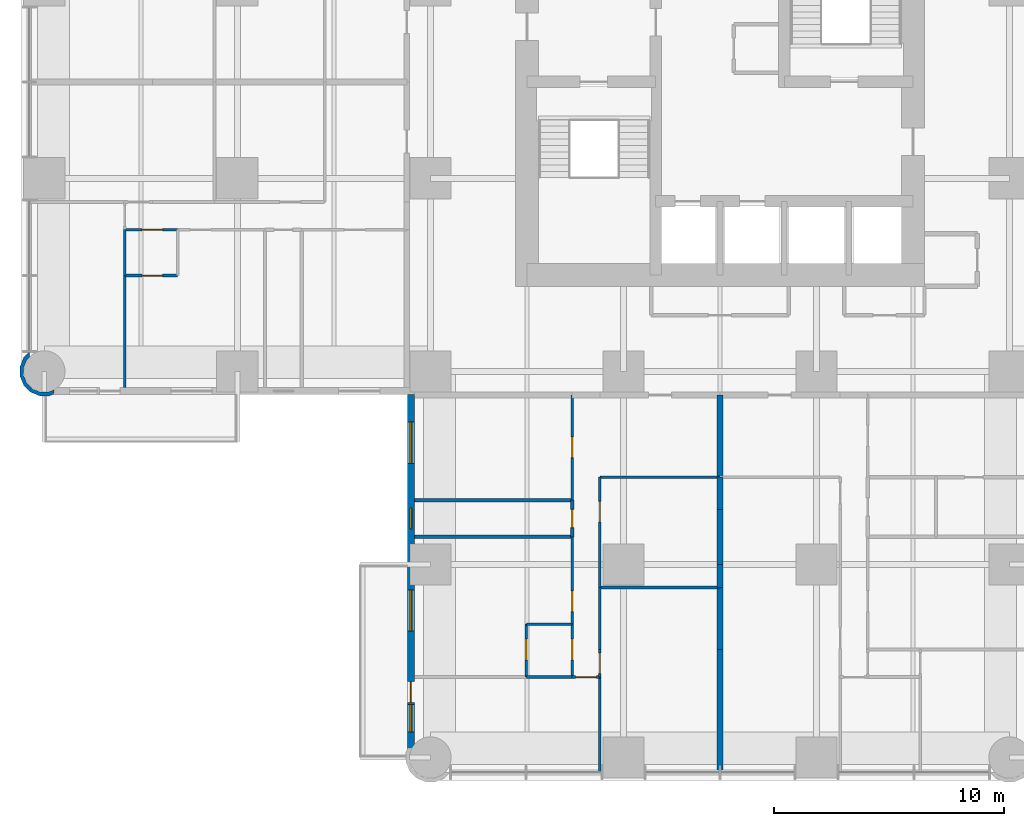
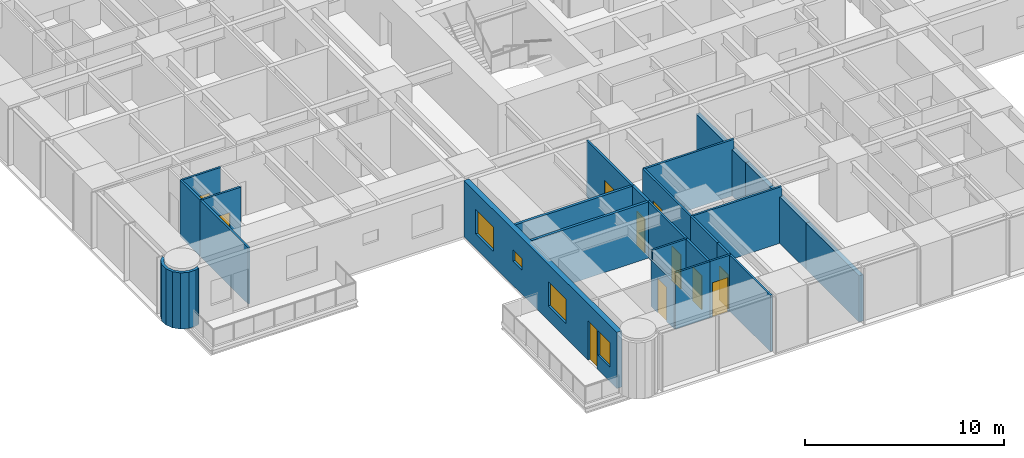
# One storey, part 7 of 17: 28 walls, 11 doors, 4 windows, 15 openings.
"""IFC4 building model written with IfcOpenShell, lengths in metres."""

from ifc_helpers import new_model, si_unit, direction, frame, frame_2d, origin, place, context, subcontext, project, spatial, polyline, rectangle, outline, extrude, material, layer, layer_set, type_object, element, fill, save


model = new_model("IFC4")

# Units and contexts
model_context = context("Model", 3, precision=1e-05, world=origin(), true_north=direction((0.0, 1.0)))
body_context = subcontext(model_context, "Body", "Model", "MODEL_VIEW")
ifc_project = project(units=[si_unit("LENGTHUNIT", "METRE"), si_unit("AREAUNIT", "SQUARE_METRE"), si_unit("VOLUMEUNIT", "CUBIC_METRE"), si_unit("PLANEANGLEUNIT", "RADIAN"), si_unit("MASSUNIT", "GRAM", prefix="KILO")], contexts=[model_context])

# Site, building, storey
site_placement = place(None, origin())
site = spatial("IfcSite", under=ifc_project, at=site_placement, CompositionType="ELEMENT")
building_placement = place(site_placement, origin())
building = spatial("IfcBuilding", under=site, at=building_placement, Name="Torre Alcanfor", CompositionType="ELEMENT")
storey_placement = place(building_placement, frame((0.0, 0.0, 92.10009765625)))
storey = spatial("IfcBuildingStorey", under=building, at=storey_placement, Name="L23", CompositionType="ELEMENT", Elevation=92.10009765625)

# Walls
ifc_material_1 = material(Name="Gypsum board on steel studs", Category="steel")
ifc_layer_1 = layer(ifc_material_1, 0.1201171875)
ifc_layer_set_1 = layer_set([ifc_layer_1], Name="Apartment partition 120")
wall_type_1 = type_object("IfcWallType", Name="Apartment partition 120", PredefinedType="PARTITIONING", material=ifc_layer_set_1)
for number, where, z_axis, x_axis, name in (
    (1, (29.39990234375, 12.199951171875, 0.0), (0.0, 0.0, 1.0), (-1.0, 0.0, 0.0), "Partition L23-S2-ZAG / L23-S2-FAMILY"),
    (2, (29.39990234375, 7.39990234375, 0.0), (0.0, 0.0, 1.0), (-1.0, 0.0, 0.0), "Partition L23-S2-FAMILY / L23-S2-KITCHEN"),
):
    element("IfcWall", number, at=place(storey_placement, frame(where, z_axis=z_axis, x_axis=x_axis)), inside=storey, type_object=wall_type_1, Name=name, PredefinedType="PARTITIONING", context=body_context, shape_type="SweptSolid", body=[
        extrude(rectangle(XDim=5.22900390625, YDim=0.1201171875, at=frame_2d((2.614501953125, 0.0))), origin(), (0.0, 0.0, 1.0), 3.449951171875),
    ])

# Wall, opening, door
wall_1_placement = place(storey_placement, frame((24.1708984375, 7.39990234375, 0.0), z_axis=(0.0, 0.0, 1.0), x_axis=(0.0, 1.0, 0.0)))
wall_1 = element("IfcWall", 3, at=wall_1_placement, inside=storey, type_object=wall_type_1, Name="Partition L23-S2-FAMILY / L23-S2-HALL", PredefinedType="PARTITIONING", context=body_context, shape_type="SweptSolid", body=[
    extrude(rectangle(XDim=4.800048828125, YDim=0.1201171875, at=frame_2d((2.39990234375, 0.0))), origin(), (0.0, 0.0, 1.0), 3.449951171875),
])
opening_1_placement = place(wall_1_placement, frame((2.85009765625, 0.0, 0.0)))
opening_1 = element("IfcOpeningElement", 4, at=opening_1_placement, cuts=wall_1, Name="Opening D-R1", PredefinedType="OPENING", context=body_context, shape_type="SweptSolid", body=[
    extrude(rectangle(XDim=0.89990234375, YDim=2.10009765625, at=frame_2d((0.449951171875, 1.050048828125))), frame((0.0, 0.070068359375, 0.0), z_axis=(0.0, -1.0, 0.0), x_axis=(1.0, 0.0, 0.0)), (0.0, 0.0, 1.0), 0.14013671875),
])
ifc_material_2 = material(Name="Timber", Category="wood")
door_type_1 = type_object("IfcDoorType", Name="Internal door 900x2100", OperationType="SINGLE_SWING_LEFT", PredefinedType="DOOR", material=ifc_material_2)
door_1_placement = place(opening_1_placement, frame((0.89990234375, 0.0, 0.0), z_axis=(0.0, 0.0, 1.0), x_axis=(-1.0, 0.0, 0.0)))
door_1 = element("IfcDoor", 5, at=door_1_placement, inside=storey, type_object=door_type_1, Name="Door L23-S2 family", OperationType="SINGLE_SWING_LEFT", OverallHeight=2.10009765625, OverallWidth=0.89990234375, PredefinedType="DOOR", context=body_context, shape_type="SweptSolid", body=[
    extrude(rectangle(XDim=0.89990234375, YDim=2.10009765625, at=frame_2d((0.449951171875, 1.050048828125))), frame((0.0, 0.025146484375, 0.0), z_axis=(0.0, -1.0, 0.0), x_axis=(1.0, 0.0, 0.0)), (0.0, 0.0, 1.0), 0.050048828125),
])
fill(opening_1, door_1)

# Wall
wall_2_placement = place(storey_placement, frame((24.1708984375, 4.699951171875, 0.0), z_axis=(0.0, 0.0, 1.0), x_axis=(0.0, 1.0, 0.0)))
element("IfcWall", 6, at=wall_2_placement, inside=storey, type_object=wall_type_1, Name="Partition L23-S2-KITCHEN / L23-S2-HALL", PredefinedType="PARTITIONING", context=body_context, shape_type="SweptSolid", body=[
    extrude(rectangle(XDim=2.699951171875, YDim=0.1201171875, at=frame_2d((1.35009765625, 0.0))), origin(), (0.0, 0.0, 1.0), 3.449951171875),
])

# Wall, opening, door
wall_3_placement = place(storey_placement, frame((24.1708984375, 3.5, 0.0), z_axis=(0.0, 0.0, 1.0), x_axis=(0.0, 1.0, 0.0)))
wall_3 = element("IfcWall", 7, at=wall_3_placement, inside=storey, type_object=wall_type_1, Name="Partition L23-S2-LIVING / L23-S2-HALL", PredefinedType="PARTITIONING", context=body_context, shape_type="SweptSolid", body=[
    extrude(rectangle(XDim=1.199951171875, YDim=0.1201171875, at=frame_2d((0.60009765625, 0.0))), origin(), (0.0, 0.0, 1.0), 3.449951171875),
])
opening_2_placement = place(wall_3_placement, frame((0.14990234375, 0.0, 0.0)))
opening_2 = element("IfcOpeningElement", 8, at=opening_2_placement, cuts=wall_3, Name="Opening D-R1", PredefinedType="OPENING", context=body_context, shape_type="SweptSolid", body=[
    extrude(rectangle(XDim=0.89990234375, YDim=2.10009765625, at=frame_2d((0.449951171875, 1.050048828125))), frame((0.0, 0.070068359375, 0.0), z_axis=(0.0, -1.0, 0.0), x_axis=(1.0, 0.0, 0.0)), (0.0, 0.0, 1.0), 0.14013671875),
])
door_2_placement = place(opening_2_placement, frame((0.89990234375, 0.0, 0.0), z_axis=(0.0, 0.0, 1.0), x_axis=(-1.0, 0.0, 0.0)))
door_2 = element("IfcDoor", 9, at=door_2_placement, inside=storey, type_object=door_type_1, Name="Door L23-S2 living", OperationType="SINGLE_SWING_LEFT", OverallHeight=2.10009765625, OverallWidth=0.89990234375, PredefinedType="DOOR", context=body_context, shape_type="SweptSolid", body=[
    extrude(rectangle(XDim=0.89990234375, YDim=2.10009765625, at=frame_2d((0.449951171875, 1.050048828125))), frame((0.0, 0.025146484375, 0.0), z_axis=(0.0, -1.0, 0.0), x_axis=(1.0, 0.0, 0.0)), (0.0, 0.0, 1.0), 0.050048828125),
])
fill(opening_2, door_2)

# Wall
wall_4_placement = place(storey_placement, frame((24.1708984375, -0.64990234375, 0.0), z_axis=(0.0, 0.0, 1.0), x_axis=(0.0, 1.0, 0.0)))
element("IfcWall", 10, at=wall_4_placement, inside=storey, type_object=wall_type_1, Name="Partition L23-S2-LIVING / L23-S2-WGARD", PredefinedType="PARTITIONING", context=body_context, shape_type="SweptSolid", body=[
    extrude(rectangle(XDim=4.14990234375, YDim=0.1201171875, at=frame_2d((2.074951171875, 0.0))), origin(), (0.0, 0.0, 1.0), 3.449951171875),
])

# Wall, opening, door
wall_5_placement = place(storey_placement, frame((22.970947265625, 11.199951171875, 0.0), z_axis=(0.0, 0.0, 1.0), x_axis=(0.0, 1.0, 0.0)))
wall_5 = element("IfcWall", 11, at=wall_5_placement, inside=storey, type_object=wall_type_1, Name="Partition L23-S2-HALL / L23-S2-BED2", PredefinedType="PARTITIONING", context=body_context, shape_type="SweptSolid", body=[
    extrude(rectangle(XDim=4.574951171875, YDim=0.1201171875, at=frame_2d((2.28759765625, 0.0))), origin(), (0.0, 0.0, 1.0), 3.449951171875),
])
opening_3_placement = place(wall_5_placement, frame((1.85009765625, 0.0, 0.0)))
opening_3 = element("IfcOpeningElement", 12, at=opening_3_placement, cuts=wall_5, Name="Opening D-R1", PredefinedType="OPENING", context=body_context, shape_type="SweptSolid", body=[
    extrude(rectangle(XDim=0.89990234375, YDim=2.10009765625, at=frame_2d((0.449951171875, 1.050048828125))), frame((0.0, 0.070068359375, 0.0), z_axis=(0.0, -1.0, 0.0), x_axis=(1.0, 0.0, 0.0)), (0.0, 0.0, 1.0), 0.14013671875),
])
door_3_placement = place(opening_3_placement, origin())
door_3 = element("IfcDoor", 13, at=door_3_placement, inside=storey, type_object=door_type_1, Name="Door L23-S2 bed2", OperationType="SINGLE_SWING_RIGHT", OverallHeight=2.10009765625, OverallWidth=0.89990234375, PredefinedType="DOOR", context=body_context, shape_type="SweptSolid", body=[
    extrude(rectangle(XDim=0.89990234375, YDim=2.10009765625, at=frame_2d((0.449951171875, 1.050048828125))), frame((0.0, 0.02490234375, 0.0), z_axis=(0.0, -1.0, 0.0), x_axis=(1.0, 0.0, 0.0)), (0.0, 0.0, 1.0), 0.050048828125),
])
fill(opening_3, door_3)

wall_6_placement = place(storey_placement, frame((22.970947265625, 5.800048828125, 0.0), z_axis=(0.0, 0.0, 1.0), x_axis=(0.0, 1.0, 0.0)))
wall_6 = element("IfcWall", 14, at=wall_6_placement, inside=storey, type_object=wall_type_1, Name="Partition L23-S2-HALL / L23-S2-MASTER", PredefinedType="PARTITIONING", context=body_context, shape_type="SweptSolid", body=[
    extrude(rectangle(XDim=3.800048828125, YDim=0.1201171875, at=frame_2d((1.89990234375, 0.0))), origin(), (0.0, 0.0, 1.0), 3.449951171875),
])
opening_4_placement = place(wall_6_placement, frame((0.550048828125, 0.0, 0.0)))
opening_4 = element("IfcOpeningElement", 15, at=opening_4_placement, cuts=wall_6, Name="Opening D-R1", PredefinedType="OPENING", context=body_context, shape_type="SweptSolid", body=[
    extrude(rectangle(XDim=0.89990234375, YDim=2.10009765625, at=frame_2d((0.449951171875, 1.050048828125))), frame((0.0, 0.070068359375, 0.0), z_axis=(0.0, -1.0, 0.0), x_axis=(1.0, 0.0, 0.0)), (0.0, 0.0, 1.0), 0.14013671875),
])
door_4_placement = place(opening_4_placement, origin())
door_4 = element("IfcDoor", 16, at=door_4_placement, inside=storey, type_object=door_type_1, Name="Door L23-S2 master", OperationType="SINGLE_SWING_LEFT", OverallHeight=2.10009765625, OverallWidth=0.89990234375, PredefinedType="DOOR", context=body_context, shape_type="SweptSolid", body=[
    extrude(rectangle(XDim=0.89990234375, YDim=2.10009765625, at=frame_2d((0.449951171875, 1.050048828125))), frame((0.0, 0.02490234375, 0.0), z_axis=(0.0, -1.0, 0.0), x_axis=(1.0, 0.0, 0.0)), (0.0, 0.0, 1.0), 0.050048828125),
])
fill(opening_4, door_4)

wall_7_placement = place(storey_placement, frame((22.970947265625, 3.5, 0.0), z_axis=(0.0, 0.0, 1.0), x_axis=(0.0, 1.0, 0.0)))
wall_7 = element("IfcWall", 17, at=wall_7_placement, inside=storey, type_object=wall_type_1, Name="Partition L23-S2-HALL / L23-S2-VEST", PredefinedType="PARTITIONING", context=body_context, shape_type="SweptSolid", body=[
    extrude(rectangle(XDim=2.300048828125, YDim=0.1201171875, at=frame_2d((1.14990234375, 0.0))), origin(), (0.0, 0.0, 1.0), 3.449951171875),
])
opening_5_placement = place(wall_7_placement, frame((0.75, 0.0, 0.0)))
opening_5 = element("IfcOpeningElement", 18, at=opening_5_placement, cuts=wall_7, Name="Opening D-R1", PredefinedType="OPENING", context=body_context, shape_type="SweptSolid", body=[
    extrude(rectangle(XDim=0.89990234375, YDim=2.10009765625, at=frame_2d((0.449951171875, 1.050048828125))), frame((0.0, 0.070068359375, 0.0), z_axis=(0.0, -1.0, 0.0), x_axis=(1.0, 0.0, 0.0)), (0.0, 0.0, 1.0), 0.14013671875),
])
door_5_placement = place(opening_5_placement, origin())
door_5 = element("IfcDoor", 19, at=door_5_placement, inside=storey, type_object=door_type_1, Name="Door L23-S2 vest", OperationType="SINGLE_SWING_RIGHT", OverallHeight=2.10009765625, OverallWidth=0.89990234375, PredefinedType="DOOR", context=body_context, shape_type="SweptSolid", body=[
    extrude(rectangle(XDim=0.89990234375, YDim=2.10009765625, at=frame_2d((0.449951171875, 1.050048828125))), frame((0.0, 0.02490234375, 0.0), z_axis=(0.0, -1.0, 0.0), x_axis=(1.0, 0.0, 0.0)), (0.0, 0.0, 1.0), 0.050048828125),
])
fill(opening_5, door_5)

wall_8_placement = place(storey_placement, frame((24.1708984375, 3.5, 0.0), z_axis=(0.0, 0.0, 1.0), x_axis=(-1.0, 0.0, 0.0)))
wall_8 = element("IfcWall", 20, at=wall_8_placement, inside=storey, type_object=wall_type_1, Name="Partition L23-S2-HALL / L23-S2-WGARD", PredefinedType="PARTITIONING", context=body_context, shape_type="SweptSolid", body=[
    extrude(rectangle(XDim=1.199951171875, YDim=0.1201171875, at=frame_2d((0.60009765625, 0.0))), origin(), (0.0, 0.0, 1.0), 3.449951171875),
])
opening_6_placement = place(wall_8_placement, frame((0.15087890625, 0.0, 0.0)))
opening_6 = element("IfcOpeningElement", 21, at=opening_6_placement, cuts=wall_8, Name="Opening D-R1", PredefinedType="OPENING", context=body_context, shape_type="SweptSolid", body=[
    extrude(rectangle(XDim=0.89990234375, YDim=2.10009765625, at=frame_2d((0.449951171875, 1.050048828125))), frame((0.0, 0.070068359375, 0.0), z_axis=(0.0, -1.0, 0.0), x_axis=(1.0, 0.0, 0.0)), (0.0, 0.0, 1.0), 0.14013671875),
])
door_6_placement = place(opening_6_placement, origin())
door_6 = element("IfcDoor", 22, at=door_6_placement, inside=storey, type_object=door_type_1, Name="Door L23-S2 wgard", OperationType="SINGLE_SWING_LEFT", OverallHeight=2.10009765625, OverallWidth=0.89990234375, PredefinedType="DOOR", context=body_context, shape_type="SweptSolid", body=[
    extrude(rectangle(XDim=0.89990234375, YDim=2.10009765625, at=frame_2d((0.449951171875, 1.050048828125))), frame((0.0, 0.02490234375, 0.0), z_axis=(0.0, -1.0, 0.0), x_axis=(1.0, 0.0, 0.0)), (0.0, 0.0, 1.0), 0.050048828125),
])
fill(opening_6, door_6)

# Wall
wall_9_placement = place(storey_placement, frame((22.970947265625, 5.800048828125, 0.0), z_axis=(0.0, 0.0, 1.0), x_axis=(-1.0, 0.0, 0.0)))
element("IfcWall", 23, at=wall_9_placement, inside=storey, type_object=wall_type_1, Name="Partition L23-S2-MASTER / L23-S2-VEST", PredefinedType="PARTITIONING", context=body_context, shape_type="SweptSolid", body=[
    extrude(rectangle(XDim=2.0, YDim=0.1201171875, at=frame_2d((1.0, 0.0))), origin(), (0.0, 0.0, 1.0), 3.449951171875),
])

# Wall, opening, door
wall_10_placement = place(storey_placement, frame((20.970947265625, 5.800048828125, 0.0), z_axis=(0.0, 0.0, 1.0), x_axis=(0.0, -1.0, 0.0)))
wall_10 = element("IfcWall", 24, at=wall_10_placement, inside=storey, type_object=wall_type_1, Name="Partition L23-S2-MASTER / L23-S2-VEST", PredefinedType="PARTITIONING", context=body_context, shape_type="SweptSolid", body=[
    extrude(rectangle(XDim=2.300048828125, YDim=0.1201171875, at=frame_2d((1.14990234375, 0.0))), origin(), (0.0, 0.0, 1.0), 2.847900390625),
])
opening_7_placement = place(wall_10_placement, frame((0.64990234375, 0.0, 0.0)))
opening_7 = element("IfcOpeningElement", 25, at=opening_7_placement, cuts=wall_10, Name="Opening D-R1", PredefinedType="OPENING", context=body_context, shape_type="SweptSolid", body=[
    extrude(rectangle(XDim=0.89990234375, YDim=2.10009765625, at=frame_2d((0.449951171875, 1.050048828125))), frame((0.0, 0.070068359375, 0.0), z_axis=(0.0, -1.0, 0.0), x_axis=(1.0, 0.0, 0.0)), (0.0, 0.0, 1.0), 0.14013671875),
])
door_7_placement = place(opening_7_placement, origin())
door_7 = element("IfcDoor", 26, at=door_7_placement, inside=storey, type_object=door_type_1, Name="Door L23-S2 master", OperationType="SINGLE_SWING_LEFT", OverallHeight=2.10009765625, OverallWidth=0.89990234375, PredefinedType="DOOR", context=body_context, shape_type="SweptSolid", body=[
    extrude(rectangle(XDim=0.89990234375, YDim=2.10009765625, at=frame_2d((0.449951171875, 1.050048828125))), frame((0.0, 0.02490234375, 0.0), z_axis=(0.0, -1.0, 0.0), x_axis=(1.0, 0.0, 0.0)), (0.0, 0.0, 1.0), 0.050048828125),
])
fill(opening_7, door_7)

# Wall
wall_11_placement = place(storey_placement, frame((22.970947265625, 3.5, 0.0), z_axis=(0.0, 0.0, 1.0), x_axis=(-1.0, 0.0, 0.0)))
element("IfcWall", 27, at=wall_11_placement, inside=storey, type_object=wall_type_1, Name="Partition L23-S2-VEST / L23-S2-WGARD", PredefinedType="PARTITIONING", context=body_context, shape_type="SweptSolid", body=[
    extrude(rectangle(XDim=2.0, YDim=0.1201171875, at=frame_2d((1.0, 0.0))), origin(), (0.0, 0.0, 1.0), 3.449951171875),
])

# Wall, opening, door
wall_12_placement = place(storey_placement, frame((3.5, 22.970947265625, 0.0), z_axis=(0.0, 0.0, 1.0), x_axis=(1.0, 0.0, 0.0)))
wall_12 = element("IfcWall", 28, at=wall_12_placement, inside=storey, type_object=wall_type_1, Name="Partition L23-W1-HALL / L23-W1-VEST", PredefinedType="PARTITIONING", context=body_context, shape_type="SweptSolid", body=[
    extrude(rectangle(XDim=2.300048828125, YDim=0.1201171875, at=frame_2d((1.14990234375, 0.0))), origin(), (0.0, 0.0, 1.0), 3.449951171875),
])
opening_8_placement = place(wall_12_placement, frame((0.75, 0.0, 0.0)))
opening_8 = element("IfcOpeningElement", 29, at=opening_8_placement, cuts=wall_12, Name="Opening D-R1", PredefinedType="OPENING", context=body_context, shape_type="SweptSolid", body=[
    extrude(rectangle(XDim=0.89990234375, YDim=2.10009765625, at=frame_2d((0.449951171875, 1.050048828125))), frame((0.0, 0.070068359375, 0.0), z_axis=(0.0, -1.0, 0.0), x_axis=(1.0, 0.0, 0.0)), (0.0, 0.0, 1.0), 0.14013671875),
])
door_8_placement = place(opening_8_placement, frame((0.89990234375, 0.0, 0.0), z_axis=(0.0, 0.0, 1.0), x_axis=(-1.0, 0.0, 0.0)))
door_8 = element("IfcDoor", 30, at=door_8_placement, inside=storey, type_object=door_type_1, Name="Door L23-W1 vest", OperationType="SINGLE_SWING_LEFT", OverallHeight=2.10009765625, OverallWidth=0.89990234375, PredefinedType="DOOR", context=body_context, shape_type="SweptSolid", body=[
    extrude(rectangle(XDim=0.89990234375, YDim=2.10009765625, at=frame_2d((0.449951171875, 1.050048828125))), frame((0.0, 0.025146484375, 0.0), z_axis=(0.0, -1.0, 0.0), x_axis=(1.0, 0.0, 0.0)), (0.0, 0.0, 1.0), 0.050048828125),
])
fill(opening_8, door_8)

wall_13_placement = place(storey_placement, frame((3.5, 20.970947265625, 0.0), z_axis=(0.0, 0.0, 1.0), x_axis=(1.0, 0.0, 0.0)))
wall_13 = element("IfcWall", 31, at=wall_13_placement, inside=storey, type_object=wall_type_1, Name="Partition L23-W1-MASTER / L23-W1-VEST", PredefinedType="PARTITIONING", context=body_context, shape_type="SweptSolid", body=[
    extrude(rectangle(XDim=2.300048828125, YDim=0.1201171875, at=frame_2d((1.14990234375, 0.0))), origin(), (0.0, 0.0, 1.0), 3.449951171875),
])
opening_9_placement = place(wall_13_placement, frame((0.75, 0.0, 0.0)))
opening_9 = element("IfcOpeningElement", 32, at=opening_9_placement, cuts=wall_13, Name="Opening D-R1", PredefinedType="OPENING", context=body_context, shape_type="SweptSolid", body=[
    extrude(rectangle(XDim=0.89990234375, YDim=2.10009765625, at=frame_2d((0.449951171875, 1.050048828125))), frame((0.0, 0.070068359375, 0.0), z_axis=(0.0, -1.0, 0.0), x_axis=(1.0, 0.0, 0.0)), (0.0, 0.0, 1.0), 0.14013671875),
])
door_9_placement = place(opening_9_placement, origin())
door_9 = element("IfcDoor", 33, at=door_9_placement, inside=storey, type_object=door_type_1, Name="Door L23-W1 master", OperationType="SINGLE_SWING_RIGHT", OverallHeight=2.10009765625, OverallWidth=0.89990234375, PredefinedType="DOOR", context=body_context, shape_type="SweptSolid", body=[
    extrude(rectangle(XDim=0.89990234375, YDim=2.10009765625, at=frame_2d((0.449951171875, 1.050048828125))), frame((0.0, 0.02490234375, 0.0), z_axis=(0.0, -1.0, 0.0), x_axis=(1.0, 0.0, 0.0)), (0.0, 0.0, 1.0), 0.050048828125),
])
fill(opening_9, door_9)

# Walls
wall_14_placement = place(storey_placement, frame((3.5, 16.10009765625, 0.0), z_axis=(0.0, 0.0, 1.0), x_axis=(0.0, 1.0, 0.0)))
element("IfcWall", 34, at=wall_14_placement, inside=storey, type_object=wall_type_1, Name="Partition L23-W1-MASTER / L23-W1-WGARD", PredefinedType="PARTITIONING", context=body_context, shape_type="SweptSolid", body=[
    extrude(rectangle(XDim=4.870849609375, YDim=0.1201171875, at=frame_2d((2.435546875, 0.0))), origin(), (0.0, 0.0, 1.0), 3.449951171875),
])
wall_15_placement = place(storey_placement, frame((3.5, 22.970947265625, 0.0), z_axis=(0.0, 0.0, 1.0), x_axis=(0.0, -1.0, 0.0)))
element("IfcWall", 35, at=wall_15_placement, inside=storey, type_object=wall_type_1, Name="Partition L23-W1-VEST / L23-W1-WGARD", PredefinedType="PARTITIONING", context=body_context, shape_type="SweptSolid", body=[
    extrude(rectangle(XDim=2.0, YDim=0.1201171875, at=frame_2d((1.0, 0.0))), origin(), (0.0, 0.0, 1.0), 3.449951171875),
])

# Wall, openings, door, windows
ifc_material_3 = material(Name="Limestone cladding", Category="masonry")
ifc_layer_2 = layer(ifc_material_3, 0.0400390625, Name="Facing")
ifc_material_4 = material(Name="Ventilated air cavity")
ifc_layer_3 = layer(ifc_material_4, 0.02001953125, ventilated=True, Name="Ventilated joint")
ifc_material_5 = material(Name="Mineral wool insulation", Category="insulation")
ifc_layer_4 = layer(ifc_material_5, 0.10009765625, Name="Insulation")
ifc_material_6 = material(Name="Concrete f'c 35 MPa", Category="concrete")
ifc_layer_5 = layer(ifc_material_6, 0.139892578125, Name="Backing")
ifc_layer_set_2 = layer_set([ifc_layer_2, ifc_layer_3, ifc_layer_4, ifc_layer_5], Name="External wall stone-clad 300")
wall_type_2 = type_object("IfcWallType", Name="External wall stone-clad 300", PredefinedType="SOLIDWALL", material=ifc_layer_set_2)
wall_16_placement = place(storey_placement, frame((15.949951171875, 15.800048828125, 0.0), z_axis=(0.0, 0.0, 1.0), x_axis=(0.0, -1.0, 0.0)))
wall_16 = element("IfcWall", 36, at=wall_16_placement, inside=storey, type_object=wall_type_2, Name="External wall L23 4", PredefinedType="SOLIDWALL", context=body_context, shape_type="SweptSolid", body=[
    extrude(rectangle(XDim=15.400146484375, YDim=0.300048828125, at=frame_2d((7.7001953125, 0.0))), origin(), (0.0, 0.0, 1.0), 3.449951171875),
])
opening_10_placement = place(wall_16_placement, frame((1.199951171875, 0.0, 0.89990234375)))
opening_10 = element("IfcOpeningElement", 37, at=opening_10_placement, cuts=wall_16, Name="Opening W2", PredefinedType="OPENING", context=body_context, shape_type="SweptSolid", body=[
    extrude(rectangle(XDim=1.800048828125, YDim=1.5, at=frame_2d((0.89990234375, 0.75))), frame((0.0, 0.159912109375, 0.0), z_axis=(0.0, -1.0, 0.0), x_axis=(1.0, 0.0, 0.0)), (0.0, 0.0, 1.0), 0.320068359375),
])
opening_11_placement = place(wall_16_placement, frame((4.949951171875, 0.0, 1.5)))
opening_11 = element("IfcOpeningElement", 38, at=opening_11_placement, cuts=wall_16, Name="Opening W3", PredefinedType="OPENING", context=body_context, shape_type="SweptSolid", body=[
    extrude(rectangle(XDim=0.89990234375, YDim=0.699951171875, at=frame_2d((0.449951171875, 0.35009765625))), frame((0.0, 0.159912109375, 0.0), z_axis=(0.0, -1.0, 0.0), x_axis=(1.0, 0.0, 0.0)), (0.0, 0.0, 1.0), 0.320068359375),
])
opening_12_placement = place(wall_16_placement, frame((8.5, 0.0, 0.89990234375)))
opening_12 = element("IfcOpeningElement", 39, at=opening_12_placement, cuts=wall_16, Name="Opening W2", PredefinedType="OPENING", context=body_context, shape_type="SweptSolid", body=[
    extrude(rectangle(XDim=1.800048828125, YDim=1.5, at=frame_2d((0.89990234375, 0.75))), frame((0.0, 0.159912109375, 0.0), z_axis=(0.0, -1.0, 0.0), x_axis=(1.0, 0.0, 0.0)), (0.0, 0.0, 1.0), 0.320068359375),
])
opening_13_placement = place(wall_16_placement, frame((12.5, 0.0, 0.0)))
opening_13 = element("IfcOpeningElement", 40, at=opening_13_placement, cuts=wall_16, Name="Opening D-B1", PredefinedType="OPENING", context=body_context, shape_type="SweptSolid", body=[
    extrude(rectangle(XDim=0.89990234375, YDim=2.39990234375, at=frame_2d((0.449951171875, 1.199951171875))), frame((0.0, 0.159912109375, 0.0), z_axis=(0.0, -1.0, 0.0), x_axis=(1.0, 0.0, 0.0)), (0.0, 0.0, 1.0), 0.320068359375),
])
opening_14_placement = place(wall_16_placement, frame((13.5, 0.0, 0.89990234375)))
opening_14 = element("IfcOpeningElement", 41, at=opening_14_placement, cuts=wall_16, Name="Opening W4", PredefinedType="OPENING", context=body_context, shape_type="SweptSolid", body=[
    extrude(rectangle(XDim=1.199951171875, YDim=1.5, at=frame_2d((0.60009765625, 0.75))), frame((0.0, 0.159912109375, 0.0), z_axis=(0.0, -1.0, 0.0), x_axis=(1.0, 0.0, 0.0)), (0.0, 0.0, 1.0), 0.320068359375),
])
ifc_material_7 = material(Name="Aluminium and glass", Category="aluminium")
door_type_2 = type_object("IfcDoorType", Name="Balcony door glazed 900x2400", OperationType="SINGLE_SWING_LEFT", PredefinedType="DOOR", material=ifc_material_7)
door_10_placement = place(opening_13_placement, origin())
door_10 = element("IfcDoor", 42, at=door_10_placement, inside=storey, type_object=door_type_2, Name="Balcony door L23-S2", OperationType="SINGLE_SWING_LEFT", OverallHeight=2.39990234375, OverallWidth=0.89990234375, PredefinedType="DOOR", context=body_context, shape_type="SweptSolid", body=[
    extrude(rectangle(XDim=0.89990234375, YDim=2.39990234375, at=frame_2d((0.449951171875, 1.199951171875))), frame((0.0, 0.02490234375, 0.0), z_axis=(0.0, -1.0, 0.0), x_axis=(1.0, 0.0, 0.0)), (0.0, 0.0, 1.0), 0.050048828125),
])
fill(opening_13, door_10)
ifc_material_8 = material(Name="Aluminium frame with clear double glazing", Category="aluminium")
window_type_1 = type_object("IfcWindowType", Name="Window bathroom 900x700", PartitioningType="SINGLE_PANEL", PredefinedType="WINDOW", material=ifc_material_8)
window_1_placement = place(opening_11_placement, origin())
window_1 = element("IfcWindow", 43, at=window_1_placement, inside=storey, type_object=window_type_1, Name="Window W3 L23-S2", OverallHeight=0.699951171875, OverallWidth=0.89990234375, PartitioningType="SINGLE_PANEL", PredefinedType="WINDOW", context=body_context, shape_type="SweptSolid", body=[
    extrude(rectangle(XDim=0.89990234375, YDim=0.699951171875, at=frame_2d((0.449951171875, 0.35009765625))), frame((0.0, 0.030029296875, 0.0), z_axis=(0.0, -1.0, 0.0), x_axis=(1.0, 0.0, 0.0)), (0.0, 0.0, 1.0), 0.06005859375),
])
fill(opening_11, window_1)
ifc_material_9 = material(Name="Aluminium frame with clear double glazing", Category="aluminium")
window_type_2 = type_object("IfcWindowType", Name="Window bedroom 1200x1500", PartitioningType="SINGLE_PANEL", PredefinedType="WINDOW", material=ifc_material_9)
window_2_placement = place(opening_14_placement, origin())
window_2 = element("IfcWindow", 44, at=window_2_placement, inside=storey, type_object=window_type_2, Name="Window W4 L23-S2", OverallHeight=1.5, OverallWidth=1.199951171875, PartitioningType="SINGLE_PANEL", PredefinedType="WINDOW", context=body_context, shape_type="SweptSolid", body=[
    extrude(rectangle(XDim=1.199951171875, YDim=1.5, at=frame_2d((0.60009765625, 0.75))), frame((0.0, 0.030029296875, 0.0), z_axis=(0.0, -1.0, 0.0), x_axis=(1.0, 0.0, 0.0)), (0.0, 0.0, 1.0), 0.06005859375),
])
fill(opening_14, window_2)
ifc_material_10 = material(Name="Aluminium frame with clear double glazing", Category="aluminium")
window_type_3 = type_object("IfcWindowType", Name="Window bedroom 1800x1500", PartitioningType="SINGLE_PANEL", PredefinedType="WINDOW", material=ifc_material_10)
window_3_placement = place(opening_10_placement, origin())
window_3 = element("IfcWindow", 45, at=window_3_placement, inside=storey, type_object=window_type_3, Name="Window W2 L23-S2", OverallHeight=1.5, OverallWidth=1.800048828125, PartitioningType="SINGLE_PANEL", PredefinedType="WINDOW", context=body_context, shape_type="SweptSolid", body=[
    extrude(rectangle(XDim=1.800048828125, YDim=1.5, at=frame_2d((0.89990234375, 0.75))), frame((0.0, 0.030029296875, 0.0), z_axis=(0.0, -1.0, 0.0), x_axis=(1.0, 0.0, 0.0)), (0.0, 0.0, 1.0), 0.06005859375),
])
fill(opening_10, window_3)
window_4_placement = place(opening_12_placement, origin())
window_4 = element("IfcWindow", 46, at=window_4_placement, inside=storey, type_object=window_type_3, Name="Window W2 L23-S2", OverallHeight=1.5, OverallWidth=1.800048828125, PartitioningType="SINGLE_PANEL", PredefinedType="WINDOW", context=body_context, shape_type="SweptSolid", body=[
    extrude(rectangle(XDim=1.800048828125, YDim=1.5, at=frame_2d((0.89990234375, 0.75))), frame((0.0, 0.030029296875, 0.0), z_axis=(0.0, -1.0, 0.0), x_axis=(1.0, 0.0, 0.0)), (0.0, 0.0, 1.0), 0.06005859375),
])
fill(opening_12, window_4)

# Walls
ifc_material_11 = material(Name="Concrete block masonry, hollow blocks NMX-C-404 9 MPa", Category="masonry")
ifc_layer_6 = layer(ifc_material_11, 0.25)
ifc_layer_set_3 = layer_set([ifc_layer_6], Name="Party wall 250 EI 60")
wall_type_3 = type_object("IfcWallType", Name="Party wall 250 EI 60", PredefinedType="PARTITIONING", material=ifc_layer_set_3)
wall_17_placement = place(storey_placement, frame((29.39990234375, 15.77490234375, 0.0), z_axis=(0.0, 0.0, 1.0), x_axis=(0.0, -1.0, 0.0)))
element("IfcWall", 47, at=wall_17_placement, inside=storey, type_object=wall_type_3, Name="Partition L23-S1-ZAG / L23-S2-ZAG", PredefinedType="PARTITIONING", context=body_context, shape_type="SweptSolid", body=[
    extrude(rectangle(XDim=3.574951171875, YDim=0.25, at=frame_2d((1.78759765625, 0.0))), origin(), (0.0, 0.0, 1.0), 2.847900390625),
])
wall_18_placement = place(storey_placement, frame((29.39990234375, 12.199951171875, 0.0), z_axis=(0.0, 0.0, 1.0), x_axis=(0.0, -1.0, 0.0)))
element("IfcWall", 48, at=wall_18_placement, inside=storey, type_object=wall_type_3, Name="Partition L23-S1-LAUND / L23-S2-FAMILY", PredefinedType="PARTITIONING", context=body_context, shape_type="SweptSolid", body=[
    extrude(rectangle(XDim=1.39990234375, YDim=0.25, at=frame_2d((0.699951171875, 0.0))), origin(), (0.0, 0.0, 1.0), 2.847900390625),
])
wall_19_placement = place(storey_placement, frame((29.39990234375, 10.800048828125, 0.0), z_axis=(0.0, 0.0, 1.0), x_axis=(0.0, -1.0, 0.0)))
element("IfcWall", 49, at=wall_19_placement, inside=storey, type_object=wall_type_3, Name="Partition L23-S1-KITCHEN / L23-S2-FAMILY", PredefinedType="PARTITIONING", context=body_context, shape_type="SweptSolid", body=[
    extrude(rectangle(XDim=2.400146484375, YDim=0.25, at=frame_2d((1.2001953125, 0.0))), origin(), (0.0, 0.0, 1.0), 2.847900390625),
])
wall_20_placement = place(storey_placement, frame((29.39990234375, 8.39990234375, 0.0), z_axis=(0.0, 0.0, 1.0), x_axis=(0.0, -1.0, 0.0)))
element("IfcWall", 50, at=wall_20_placement, inside=storey, type_object=wall_type_3, Name="Partition L23-S1-LIVING / L23-S2-FAMILY", PredefinedType="PARTITIONING", context=body_context, shape_type="SweptSolid", body=[
    extrude(rectangle(XDim=1.0, YDim=0.25, at=frame_2d((0.5, 0.0))), origin(), (0.0, 0.0, 1.0), 2.847900390625),
])
wall_21_placement = place(storey_placement, frame((29.39990234375, 7.39990234375, 0.0), z_axis=(0.0, 0.0, 1.0), x_axis=(0.0, -1.0, 0.0)))
element("IfcWall", 51, at=wall_21_placement, inside=storey, type_object=wall_type_3, Name="Partition L23-S1-LIVING / L23-S2-KITCHEN", PredefinedType="PARTITIONING", context=body_context, shape_type="SweptSolid", body=[
    extrude(rectangle(XDim=2.699951171875, YDim=0.25, at=frame_2d((1.35009765625, 0.0))), origin(), (0.0, 0.0, 1.0), 2.847900390625),
])
wall_22_placement = place(storey_placement, frame((29.39990234375, 4.699951171875, 0.0), z_axis=(0.0, 0.0, 1.0), x_axis=(0.0, -1.0, 0.0)))
element("IfcWall", 52, at=wall_22_placement, inside=storey, type_object=wall_type_3, Name="Partition L23-S1-LIVING / L23-S2-LIVING", PredefinedType="PARTITIONING", context=body_context, shape_type="SweptSolid", body=[
    extrude(rectangle(XDim=5.349853515625, YDim=0.25, at=frame_2d((2.6748046875, 0.0))), origin(), (0.0, 0.0, 1.0), 2.847900390625),
])
ifc_layer_7 = layer(ifc_material_3, 0.0400390625, Name="Facing")
ifc_layer_8 = layer(ifc_material_4, 0.02001953125, ventilated=True, Name="Ventilated joint")
ifc_layer_9 = layer(ifc_material_5, 0.10009765625, Name="Insulation")
ifc_layer_10 = layer(ifc_material_6, 0.139892578125, Name="Backing")
ifc_layer_set_4 = layer_set([ifc_layer_7, ifc_layer_8, ifc_layer_9, ifc_layer_10], Name="Rounded corner pier stone-clad 300")
wall_type_4 = type_object("IfcWallType", Name="Rounded corner pier stone-clad 300", PredefinedType="SOLIDWALL", material=ifc_layer_set_4)
wall_23_placement = place(storey_placement, frame((-0.610519256, 17.56659392, 0.0), z_axis=(0.0, 0.0, 1.0), x_axis=(-0.926129809145, -0.377204953059, 0.0)))
element("IfcWall", 53, at=wall_23_placement, inside=storey, type_object=wall_type_4, Name="Corner pier L23 14", PredefinedType="SOLIDWALL", context=body_context, shape_type="SweptSolid", body=[
    extrude(outline(polyline([(-0.2694320048751383, 2.0171861008885523), (-0.3700526678318482, 1.8406866495551875), (-0.10232913830325796, 1.8423628952563784), (0.22959433821660935, 1.7071732294627), (0.4846648868960458, 1.4551341488862783), (0.6237723089217844, 1.1248457008471362), (0.6256501657648526, 0.7663568996565957), (0.49046049997117414, 0.4344334231367283), (0.2387396163581813, 0.17949688931473468), (0.09014163443691028, 0.11691195088889664), (0.010851237809964043, -0.07776523799639344), (0.024417592436116662, -0.08329070117597158), (0.32956848036437986, 0.045229547111777235), (0.4801338191951393, 0.19743274075920003), (0.4990091877024963, 0.1926447125875501), (0.5075557555746872, 0.2252788612711387), (0.6260018077392729, 0.3452223941390844), (0.7850430562581303, 0.7357073014618439), (0.782472278983801, 1.15721841463542), (0.6187061231885674, 1.5460551039454697), (0.3187132761612602, 1.8424884313203629), (-0.07154552525106339, 2.0014375887862275), (-0.2401131340992967, 2.00049972024067), (-0.2694320048751383, 2.0171861008885523)])), origin(), (0.0, 0.0, 1.0), 3.449951171875),
])

# Wall, opening, door
ifc_material_12 = material(Name="Cement board on steel studs", Category="steel")
ifc_layer_11 = layer(ifc_material_12, 0.14990234375)
ifc_layer_set_5 = layer_set([ifc_layer_11], Name="Wet area partition 150")
wall_type_5 = type_object("IfcWallType", Name="Wet area partition 150", PredefinedType="PARTITIONING", material=ifc_layer_set_5)
wall_24_placement = place(storey_placement, frame((22.970947265625, 9.60009765625, 0.0), z_axis=(0.0, 0.0, 1.0), x_axis=(0.0, 1.0, 0.0)))
wall_24 = element("IfcWall", 54, at=wall_24_placement, inside=storey, type_object=wall_type_5, Name="Partition L23-S2-HALL / L23-S2-BATH1", PredefinedType="PARTITIONING", context=body_context, shape_type="SweptSolid", body=[
    extrude(rectangle(XDim=1.599853515625, YDim=0.14990234375, at=frame_2d((0.7998046875, 0.0))), origin(), (0.0, 0.0, 1.0), 3.449951171875),
])
opening_15_placement = place(wall_24_placement, frame((0.39990234375, 0.0, 0.0)))
opening_15 = element("IfcOpeningElement", 55, at=opening_15_placement, cuts=wall_24, Name="Opening D-R2", PredefinedType="OPENING", context=body_context, shape_type="SweptSolid", body=[
    extrude(rectangle(XDim=0.800048828125, YDim=2.10009765625, at=frame_2d((0.39990234375, 1.050048828125))), frame((0.0, 0.0849609375, 0.0), z_axis=(0.0, -1.0, 0.0), x_axis=(1.0, 0.0, 0.0)), (0.0, 0.0, 1.0), 0.169921875),
])
ifc_material_13 = material(Name="Timber", Category="wood")
door_type_3 = type_object("IfcDoorType", Name="Bathroom door 800x2100", OperationType="SINGLE_SWING_LEFT", PredefinedType="DOOR", material=ifc_material_13)
door_11_placement = place(opening_15_placement, origin())
door_11 = element("IfcDoor", 56, at=door_11_placement, inside=storey, type_object=door_type_3, Name="Door L23-S2 bath1", OperationType="SINGLE_SWING_LEFT", OverallHeight=2.10009765625, OverallWidth=0.800048828125, PredefinedType="DOOR", context=body_context, shape_type="SweptSolid", body=[
    extrude(rectangle(XDim=0.800048828125, YDim=2.10009765625, at=frame_2d((0.39990234375, 1.050048828125))), frame((0.0, 0.02490234375, 0.0), z_axis=(0.0, -1.0, 0.0), x_axis=(1.0, 0.0, 0.0)), (0.0, 0.0, 1.0), 0.050048828125),
])
fill(opening_15, door_11)

# Walls
for number, where, z_axis, x_axis, name in (
    (57, (22.970947265625, 11.199951171875, 0.0), (0.0, 0.0, 1.0), (-1.0, 0.0, 0.0), "Partition L23-S2-BED2 / L23-S2-BATH1"),
    (58, (22.970947265625, 9.60009765625, 0.0), (0.0, 0.0, 1.0), (-1.0, 0.0, 0.0), "Partition L23-S2-BATH1 / L23-S2-MASTER"),
):
    element("IfcWall", number, at=place(storey_placement, frame(where, z_axis=z_axis, x_axis=x_axis)), inside=storey, type_object=wall_type_5, Name=name, PredefinedType="PARTITIONING", context=body_context, shape_type="SweptSolid", body=[
        extrude(rectangle(XDim=6.870849609375, YDim=0.14990234375, at=frame_2d((3.435546875, 0.0))), origin(), (0.0, 0.0, 1.0), 3.449951171875),
    ])

save(model, "model.ifc")
